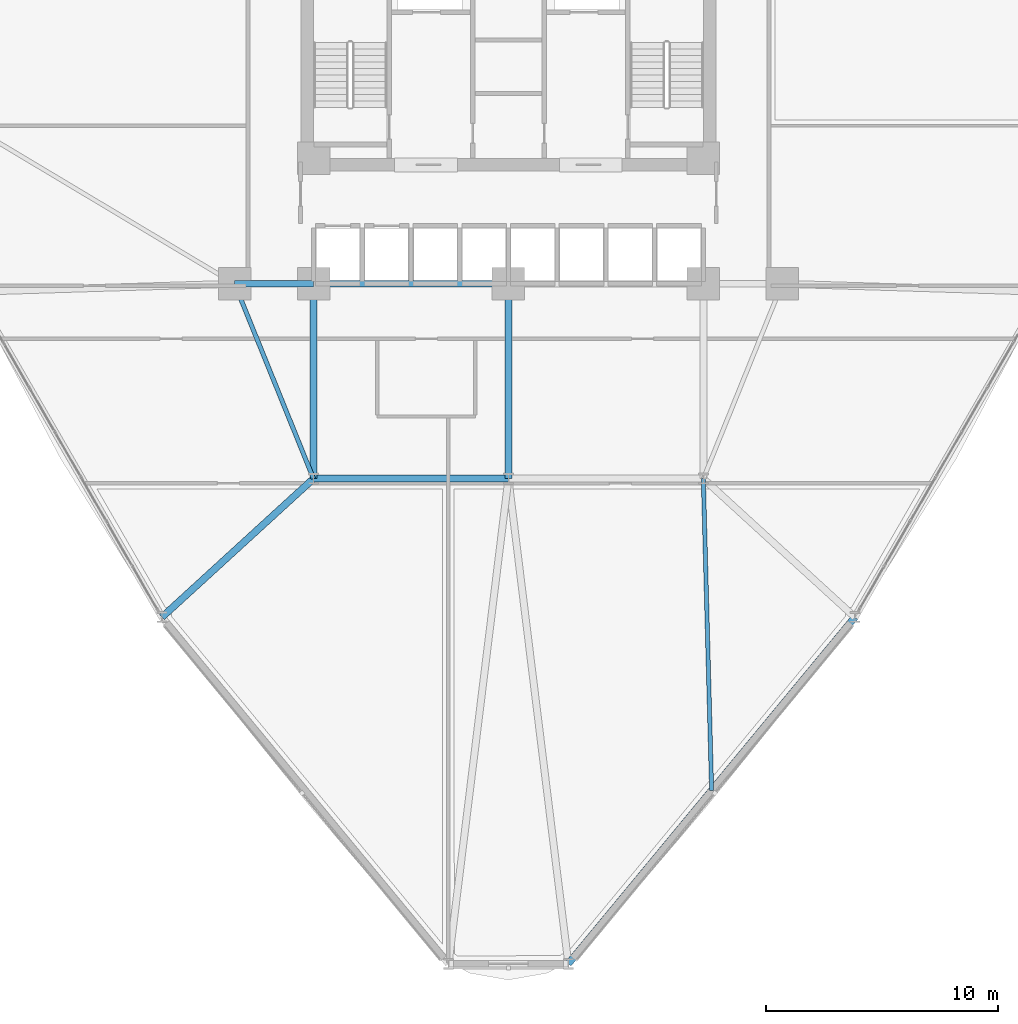
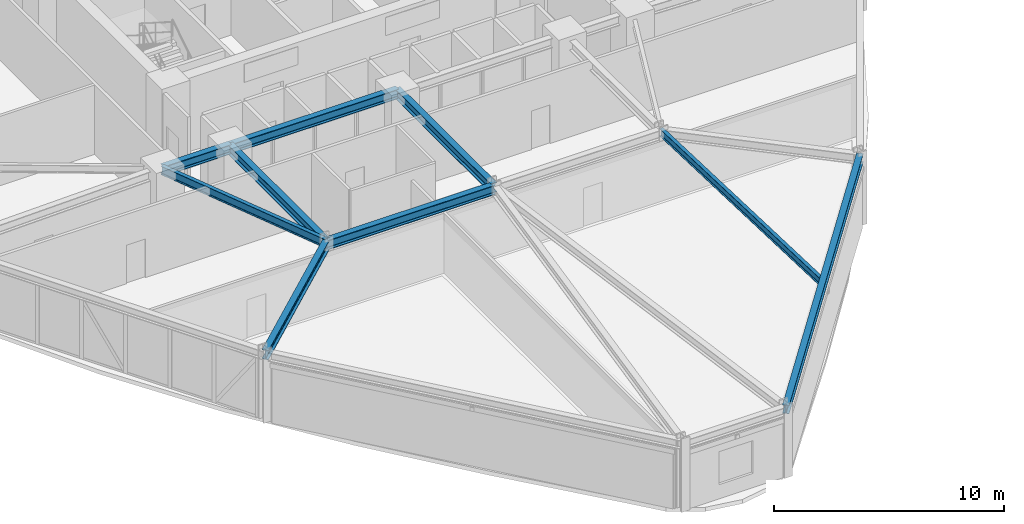
# One storey, part 5 of 23: 9 beams.
"""IFC4 building model written with IfcOpenShell, lengths in metres."""

from ifc_helpers import new_model, si_unit, derived_unit, direction, frame, origin, origin_2d, place, context, subcontext, project, spatial, i_section, extrude, source, transform, mapped, material, material_profile, profile_set, type_object, element, save


model = new_model("IFC4")

# Units and contexts
model_context = context("Model", 3, precision=1e-05, world=origin(), true_north=direction((0.0, 1.0)))
body_context = subcontext(model_context, "Body", "Model", "MODEL_VIEW")
ifc_project = project(units=[si_unit("LENGTHUNIT", "METRE"), si_unit("AREAUNIT", "SQUARE_METRE"), si_unit("VOLUMEUNIT", "CUBIC_METRE"), si_unit("PLANEANGLEUNIT", "RADIAN"), si_unit("MASSUNIT", "GRAM", prefix="KILO"), derived_unit("THERMALTRANSMITTANCEUNIT", [(si_unit("POWERUNIT", "WATT"), 1), (si_unit("LENGTHUNIT", "METRE"), -2), (si_unit("THERMODYNAMICTEMPERATUREUNIT", "KELVIN"), -1)])], contexts=[model_context])

# Site, building, storey
site_placement = place(None, origin())
site = spatial("IfcSite", under=ifc_project, at=site_placement, CompositionType="ELEMENT")
building_placement = place(site_placement, origin())
building = spatial("IfcBuilding", under=site, at=building_placement, Name="Korsvarv Bourse and Concert Hall", CompositionType="ELEMENT")
storey_placement = place(building_placement, frame((0.0, 0.0, 24.0)))
storey = spatial("IfcBuildingStorey", under=building, at=storey_placement, Name="L05", CompositionType="ELEMENT", Elevation=24.0)

# Beams
ifc_material = material(Name="Steel S355", Category="steel")
ifc_material_profile_1 = material_profile(ifc_material, i_section(OverallWidth=0.300048828125, OverallDepth=0.5, WebThickness=0.014404296875, FlangeThickness=0.028076171875, FilletRadius=0.02392578125, at=origin_2d()), Name="HEB 500")
ifc_profile_set_1 = profile_set([ifc_material_profile_1], Name="Steel S355")
beam_type_1 = type_object("IfcBeamType", Name="BM-HEB500", PredefinedType="BEAM", material=ifc_profile_set_1)
shared_shape_1 = source(origin(), body_context, "Body", "SweptSolid", [
    extrude(i_section(OverallWidth=0.300048828125, OverallDepth=0.5, WebThickness=0.014404296875, FlangeThickness=0.028076171875, FilletRadius=0.02392578125, at=origin_2d()), origin(), (0.0, 0.0, 1.0), 3.400146484375),
])
beam_1_placement = place(storey_placement, frame((24.199951171875, 32.39990234375, 3.429931640625), z_axis=(1.0, 0.0, 0.0), x_axis=(0.0, 1.0, 0.0)))
element("IfcBeam", 1, at=beam_1_placement, inside=storey, type_object=beam_type_1, Name="L05 beam B-07", PredefinedType="BEAM", context=body_context, shape_type="MappedRepresentation", body=[
    mapped(shared_shape_1, transform((0.0, 0.0, 0.0), scale=1.0)),
])
shared_shape_2 = source(origin(), body_context, "Body", "SweptSolid", [
    extrude(i_section(OverallWidth=0.300048828125, OverallDepth=0.5, WebThickness=0.014404296875, FlangeThickness=0.028076171875, FilletRadius=0.02392578125, at=origin_2d()), origin(), (0.0, 0.0, 1.0), 8.39990234375),
])
for number, where, z_axis, x_axis, name in (
    (2, (27.60009765625, 32.39990234375, 3.429931640625), (1.0, 0.0, 0.0), (0.0, 1.0, 0.0), "L05 beam B-07"),
    (3, (27.60009765625, 24.0, 3.429931640625), (1.0, 0.0, 0.0), (0.0, 1.0, 0.0), "L05 beam B-07"),
    (4, (27.60009765625, 24.0, 3.429931640625), (0.0, 1.0, 0.0), (-1.0, 0.0, 0.0), "L05 beam B-07"),
    (5, (36.0, 24.0, 3.429931640625), (0.0, 1.0, 0.0), (-1.0, 0.0, 0.0), "L05 beam B-07"),
):
    element("IfcBeam", number, at=place(storey_placement, frame(where, z_axis=z_axis, x_axis=x_axis)), inside=storey, type_object=beam_type_1, Name=name, PredefinedType="BEAM", context=body_context, shape_type="MappedRepresentation", body=[
        mapped(shared_shape_2, transform((0.0, 0.0, 0.0), scale=1.0)),
    ])
ifc_material_profile_2 = material_profile(ifc_material, i_section(OverallWidth=0.300048828125, OverallDepth=0.449951171875, WebThickness=0.013916015625, FlangeThickness=0.02587890625, FilletRadius=0.02099609375, at=origin_2d()), Name="HEB 450")
ifc_profile_set_2 = profile_set([ifc_material_profile_2], Name="Steel S355")
beam_type_2 = type_object("IfcBeamType", Name="BM-HEB450", PredefinedType="SPANDREL", material=ifc_profile_set_2)
shared_shape_3 = source(origin(), body_context, "Body", "SweptSolid", [
    extrude(i_section(OverallWidth=0.300048828125, OverallDepth=0.449951171875, WebThickness=0.013916015625, FlangeThickness=0.02587890625, FilletRadius=0.02099609375, at=origin_2d()), origin(), (0.0, 0.0, 1.0), 19.380126953125),
])
beam_2_placement = place(storey_placement, frame((38.581787109375, 3.09375, 3.455078125), z_axis=(0.637270402598, 0.770640275338, 0.0), x_axis=(-0.770640275338, 0.637270402598, 0.0)))
element("IfcBeam", 6, at=beam_2_placement, inside=storey, type_object=beam_type_2, Name="L05 beam B-08", PredefinedType="SPANDREL", context=body_context, shape_type="MappedRepresentation", body=[
    mapped(shared_shape_3, transform((0.0, 0.0, 0.0), scale=1.0)),
])
shared_shape_4 = source(origin(), body_context, "Body", "SweptSolid", [
    extrude(i_section(OverallWidth=0.300048828125, OverallDepth=0.5, WebThickness=0.014404296875, FlangeThickness=0.028076171875, FilletRadius=0.02392578125, at=origin_2d()), origin(), (0.0, 0.0, 1.0), 8.85009765625),
])
beam_3_placement = place(storey_placement, frame((21.06787109375, 18.02880859375, 3.429931640625), z_axis=(0.738092395249, 0.674699648789, 0.0), x_axis=(-0.674699648789, 0.738092395249, 0.0)))
element("IfcBeam", 7, at=beam_3_placement, inside=storey, type_object=beam_type_1, Name="L05 beam B-07", PredefinedType="BEAM", context=body_context, shape_type="MappedRepresentation", body=[
    mapped(shared_shape_4, transform((0.0, 0.0, 0.0), scale=1.0)),
])
ifc_material_profile_3 = material_profile(ifc_material, i_section(OverallWidth=0.18994140625, OverallDepth=0.449951171875, WebThickness=0.009521484375, FlangeThickness=0.0146484375, FilletRadius=0.02099609375, at=origin_2d()), Name="IPE 450")
ifc_profile_set_3 = profile_set([ifc_material_profile_3], Name="Steel S355")
beam_type_3 = type_object("IfcBeamType", Name="BM-IPE450", PredefinedType="JOIST", material=ifc_profile_set_3)
shared_shape_5 = source(origin(), body_context, "Body", "SweptSolid", [
    extrude(i_section(OverallWidth=0.18994140625, OverallDepth=0.449951171875, WebThickness=0.009521484375, FlangeThickness=0.0146484375, FilletRadius=0.02099609375, at=origin_2d()), origin(), (0.0, 0.0, 1.0), 9.06201171875),
])
beam_4_placement = place(storey_placement, frame((24.199951171875, 32.39990234375, 3.455078125), z_axis=(0.375210394783, -0.926939674222, 0.0), x_axis=(0.926939674222, 0.375210394783, 0.0)))
element("IfcBeam", 8, at=beam_4_placement, inside=storey, type_object=beam_type_3, Name="L05 beam J-04", PredefinedType="JOIST", context=body_context, shape_type="MappedRepresentation", body=[
    mapped(shared_shape_5, transform((0.0, 0.0, 0.0), scale=1.0)),
])
ifc_material_profile_4 = material_profile(ifc_material, i_section(OverallWidth=0.179931640625, OverallDepth=0.39990234375, WebThickness=0.008544921875, FlangeThickness=0.013427734375, FilletRadius=0.02099609375, at=origin_2d()), Name="IPE 400")
ifc_profile_set_4 = profile_set([ifc_material_profile_4], Name="Steel S355")
beam_type_4 = type_object("IfcBeamType", Name="BM-IPE400", PredefinedType="JOIST", material=ifc_profile_set_4)
shared_shape_6 = source(origin(), body_context, "Body", "SweptSolid", [
    extrude(i_section(OverallWidth=0.179931640625, OverallDepth=0.39990234375, WebThickness=0.008544921875, FlangeThickness=0.013427734375, FilletRadius=0.02099609375, at=origin_2d()), origin(), (0.0, 0.0, 1.0), 13.443359375),
])
beam_5_placement = place(storey_placement, frame((44.757080078125, 10.561279296875, 3.47998046875), z_axis=(-0.026568871639, 0.99964698522, 0.0), x_axis=(-0.99964698522, -0.026568871639, 0.0)))
element("IfcBeam", 9, at=beam_5_placement, inside=storey, type_object=beam_type_4, Name="L05 beam J-05", PredefinedType="JOIST", context=body_context, shape_type="MappedRepresentation", body=[
    mapped(shared_shape_6, transform((0.0, 0.0, 0.0), scale=1.0)),
])

save(model, "model.ifc")
